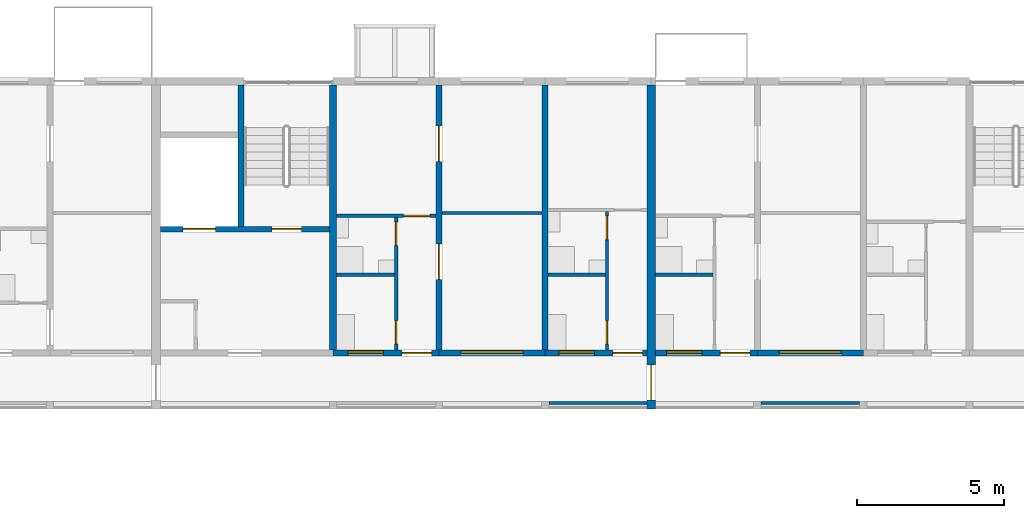
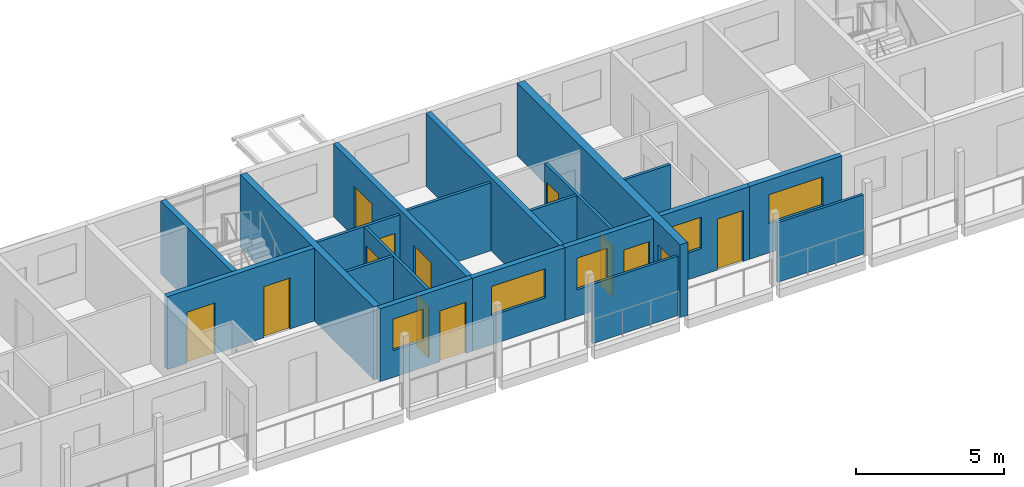
# One storey, part 37 of 98: 20 walls, 13 doors, 5 windows, 18 openings.
"""IFC4 building model written with IfcOpenShell, lengths in metres."""

from ifc_helpers import new_model, si_unit, direction, frame, frame_2d, origin, place, context, subcontext, project, spatial, rectangle, extrude, material, layer, layer_set, type_object, element, fill, save


model = new_model("IFC4")

# Units and contexts
model_context = context("Model", 3, precision=1e-05, world=origin(), true_north=direction((0.0, 1.0)))
body_context = subcontext(model_context, "Body", "Model", "MODEL_VIEW")
ifc_project = project(units=[si_unit("LENGTHUNIT", "METRE"), si_unit("AREAUNIT", "SQUARE_METRE"), si_unit("VOLUMEUNIT", "CUBIC_METRE"), si_unit("PLANEANGLEUNIT", "RADIAN"), si_unit("MASSUNIT", "GRAM", prefix="KILO")], contexts=[model_context])

# Site, building, storey
site_placement = place(None, origin())
site = spatial("IfcSite", under=ifc_project, at=site_placement, CompositionType="ELEMENT")
building_placement = place(site_placement, origin())
building = spatial("IfcBuilding", under=site, at=building_placement, Name="Ridgestep Commons", CompositionType="ELEMENT")
storey_placement = place(building_placement, frame((0.0, 0.0, 12.0)))
storey = spatial("IfcBuildingStorey", under=building, at=storey_placement, Name="L04", CompositionType="ELEMENT", Elevation=12.0)

# Wall
ifc_material_1 = material(Name="Concrete C30/37", Category="concrete")
ifc_layer_1 = layer(ifc_material_1, 0.25)
ifc_layer_set_1 = layer_set([ifc_layer_1], Name="Core cross wall 250")
wall_type_1 = type_object("IfcWallType", Name="Core cross wall 250", PredefinedType="SHEAR", material=ifc_layer_set_1)
wall_1_placement = place(storey_placement, frame((51.60009765625, 68.0, 0.0), z_axis=(0.0, 0.0, 1.0), x_axis=(0.0, 1.0, 0.0)))
element("IfcWall", 1, at=wall_1_placement, inside=storey, type_object=wall_type_1, Name="Cross wall B-04-0516", PredefinedType="SHEAR", context=body_context, shape_type="SweptSolid", body=[
    extrude(rectangle(XDim=9.0, YDim=0.25, at=frame_2d((4.5, 0.0))), origin(), (0.0, 0.0, 1.0), 3.0),
])

# Wall, openings, doors
ifc_material_2 = material(Name="Concrete C30/37", Category="concrete")
ifc_layer_2 = layer(ifc_material_2, 0.199951171875)
ifc_layer_set_2 = layer_set([ifc_layer_2], Name="Core wall 200")
wall_type_2 = type_object("IfcWallType", Name="Core wall 200", PredefinedType="SHEAR", material=ifc_layer_set_2)
wall_2_placement = place(storey_placement, frame((45.75, 72.10009765625, 0.0), z_axis=(0.0, 0.0, 1.0), x_axis=(1.0, 0.0, 0.0)))
wall_2 = element("IfcWall", 2, at=wall_2_placement, inside=storey, type_object=wall_type_2, Name="Core lobby wall B3C L04", PredefinedType="SHEAR", context=body_context, shape_type="SweptSolid", body=[
    extrude(rectangle(XDim=5.72509765625, YDim=0.199951171875, at=frame_2d((2.862548828125, 0.0))), origin(), (0.0, 0.0, 1.0), 3.0),
])
opening_1_placement = place(wall_2_placement, frame((3.77490234375, 0.0, 0.0)))
opening_1 = element("IfcOpeningElement", 3, at=opening_1_placement, cuts=wall_2, Name="Opening B3C/04/2", PredefinedType="OPENING", context=body_context, shape_type="SweptSolid", body=[
    extrude(rectangle(XDim=1.0, YDim=2.10009765625, at=frame_2d((0.5, 1.050048828125))), frame((0.0, 0.10986328125, 0.0), z_axis=(0.0, -1.0, 0.0), x_axis=(1.0, 0.0, 0.0)), (0.0, 0.0, 1.0), 0.219970703125),
])
opening_2_placement = place(wall_2_placement, frame((0.762451171875, 0.0, 0.0)))
opening_2 = element("IfcOpeningElement", 4, at=opening_2_placement, cuts=wall_2, Name="Opening B3C/04/3", PredefinedType="OPENING", context=body_context, shape_type="SweptSolid", body=[
    extrude(rectangle(XDim=1.10009765625, YDim=2.10009765625, at=frame_2d((0.550048828125, 1.050048828125))), frame((0.0, 0.10986328125, 0.0), z_axis=(0.0, -1.0, 0.0), x_axis=(1.0, 0.0, 0.0)), (0.0, 0.0, 1.0), 0.219970703125),
])
ifc_material_3 = material(Name="Stainless steel", Category="steel")
door_type_1 = type_object("IfcDoorType", Name="Lift landing door 1100 x 2100 FD60", OperationType="DOUBLE_DOOR_SLIDING", PredefinedType="DOOR", material=ifc_material_3)
door_1_placement = place(opening_2_placement, origin())
door_1 = element("IfcDoor", 5, at=door_1_placement, inside=storey, type_object=door_type_1, Name="Landing door LD B3C L04", OperationType="DOUBLE_DOOR_SLIDING", OverallHeight=2.10009765625, OverallWidth=1.10009765625, PredefinedType="DOOR", context=body_context, shape_type="SweptSolid", body=[
    extrude(rectangle(XDim=1.10009765625, YDim=2.10009765625, at=frame_2d((0.550048828125, 1.050048828125))), frame((0.0, 0.02490234375, 0.0), z_axis=(0.0, -1.0, 0.0), x_axis=(1.0, 0.0, 0.0)), (0.0, 0.0, 1.0), 0.050048828125),
])
fill(opening_2, door_1)
ifc_material_4 = material(Name="Steel fire door", Category="steel")
door_type_2 = type_object("IfcDoorType", Name="Stair door 1000 x 2100 FD60", OperationType="NOTDEFINED", PredefinedType="DOOR", material=ifc_material_4)
door_2_placement = place(opening_1_placement, origin())
door_2 = element("IfcDoor", 6, at=door_2_placement, inside=storey, type_object=door_type_2, Name="Stair door B3C/04/2", OperationType="SINGLE_SWING_RIGHT", OverallHeight=2.10009765625, OverallWidth=1.0, PredefinedType="DOOR", context=body_context, shape_type="SweptSolid", body=[
    extrude(rectangle(XDim=1.0, YDim=2.10009765625, at=frame_2d((0.5, 1.050048828125))), frame((0.0, 0.02490234375, 0.0), z_axis=(0.0, -1.0, 0.0), x_axis=(1.0, 0.0, 0.0)), (0.0, 0.0, 1.0), 0.050048828125),
])
fill(opening_1, door_2)

# Wall
wall_3_placement = place(storey_placement, frame((48.47509765625, 72.199951171875, 0.0), z_axis=(0.0, 0.0, 1.0), x_axis=(0.0, 1.0, 0.0)))
element("IfcWall", 7, at=wall_3_placement, inside=storey, type_object=wall_type_2, Name="Core stair wall B3C L04", PredefinedType="SHEAR", context=body_context, shape_type="SweptSolid", body=[
    extrude(rectangle(XDim=4.800048828125, YDim=0.199951171875, at=frame_2d((2.39990234375, 0.0))), origin(), (0.0, 0.0, 1.0), 3.0),
])

# Wall, openings, doors
ifc_material_5 = material(Name="Precast concrete C40/50", Category="concrete")
ifc_layer_3 = layer(ifc_material_5, 0.199951171875)
ifc_layer_set_3 = layer_set([ifc_layer_3], Name="Cross wall 200")
wall_type_3 = type_object("IfcWallType", Name="Cross wall 200", PredefinedType="SHEAR", material=ifc_layer_set_3)
wall_4_placement = place(storey_placement, frame((55.199951171875, 68.0, 0.0), z_axis=(0.0, 0.0, 1.0), x_axis=(0.0, 1.0, 0.0)))
wall_4 = element("IfcWall", 8, at=wall_4_placement, inside=storey, type_object=wall_type_3, Name="Cross wall B-04-0552", PredefinedType="SHEAR", context=body_context, shape_type="SweptSolid", body=[
    extrude(rectangle(XDim=9.0, YDim=0.199951171875, at=frame_2d((4.5, 0.0))), origin(), (0.0, 0.0, 1.0), 3.0),
])
opening_3_placement = place(wall_4_placement, frame((2.39990234375, 0.0, 0.0)))
opening_3 = element("IfcOpeningElement", 9, at=opening_3_placement, cuts=wall_4, Name="Opening B3-04b/5", PredefinedType="OPENING", context=body_context, shape_type="SweptSolid", body=[
    extrude(rectangle(XDim=1.199951171875, YDim=2.10009765625, at=frame_2d((0.60009765625, 1.050048828125))), frame((0.0, 0.10986328125, 0.0), z_axis=(0.0, -1.0, 0.0), x_axis=(1.0, 0.0, 0.0)), (0.0, 0.0, 1.0), 0.219970703125),
])
opening_4_placement = place(wall_4_placement, frame((6.39990234375, 0.0, 0.0)))
opening_4 = element("IfcOpeningElement", 10, at=opening_4_placement, cuts=wall_4, Name="Opening B3-04b/6", PredefinedType="OPENING", context=body_context, shape_type="SweptSolid", body=[
    extrude(rectangle(XDim=1.199951171875, YDim=2.10009765625, at=frame_2d((0.60009765625, 1.050048828125))), frame((0.0, 0.10986328125, 0.0), z_axis=(0.0, -1.0, 0.0), x_axis=(1.0, 0.0, 0.0)), (0.0, 0.0, 1.0), 0.219970703125),
])
ifc_material_6 = material(Name="Timber door leaf", Category="wood")
door_type_3 = type_object("IfcDoorType", Name="Double door 1200 x 2100", OperationType="DOUBLE_DOOR_SINGLE_SWING", PredefinedType="DOOR", material=ifc_material_6)
door_3_placement = place(opening_3_placement, origin())
door_3 = element("IfcDoor", 11, at=door_3_placement, inside=storey, type_object=door_type_3, Name="Double door B3-04b/5", OperationType="DOUBLE_DOOR_SINGLE_SWING", OverallHeight=2.10009765625, OverallWidth=1.199951171875, PredefinedType="DOOR", context=body_context, shape_type="SweptSolid", body=[
    extrude(rectangle(XDim=1.199951171875, YDim=2.10009765625, at=frame_2d((0.60009765625, 1.050048828125))), frame((0.0, 0.02490234375, 0.0), z_axis=(0.0, -1.0, 0.0), x_axis=(1.0, 0.0, 0.0)), (0.0, 0.0, 1.0), 0.050048828125),
])
fill(opening_3, door_3)
door_4_placement = place(opening_4_placement, origin())
door_4 = element("IfcDoor", 12, at=door_4_placement, inside=storey, type_object=door_type_3, Name="Double door B3-04b/6", OperationType="DOUBLE_DOOR_SINGLE_SWING", OverallHeight=2.10009765625, OverallWidth=1.199951171875, PredefinedType="DOOR", context=body_context, shape_type="SweptSolid", body=[
    extrude(rectangle(XDim=1.199951171875, YDim=2.10009765625, at=frame_2d((0.60009765625, 1.050048828125))), frame((0.0, 0.02490234375, 0.0), z_axis=(0.0, -1.0, 0.0), x_axis=(1.0, 0.0, 0.0)), (0.0, 0.0, 1.0), 0.050048828125),
])
fill(opening_4, door_4)

# Wall
wall_5_placement = place(storey_placement, frame((58.800048828125, 68.0, 0.0), z_axis=(0.0, 0.0, 1.0), x_axis=(0.0, 1.0, 0.0)))
element("IfcWall", 13, at=wall_5_placement, inside=storey, type_object=wall_type_3, Name="Cross wall B-04-0588", PredefinedType="SHEAR", context=body_context, shape_type="SweptSolid", body=[
    extrude(rectangle(XDim=9.0, YDim=0.199951171875, at=frame_2d((4.5, 0.0))), origin(), (0.0, 0.0, 1.0), 3.0),
])

# Wall, opening, door
ifc_material_7 = material(Name="Precast concrete C40/50", Category="concrete")
ifc_layer_4 = layer(ifc_material_7, 0.300048828125)
ifc_layer_set_4 = layer_set([ifc_layer_4], Name="Division wall 300")
wall_type_4 = type_object("IfcWallType", Name="Division wall 300", PredefinedType="SHEAR", material=ifc_layer_set_4)
wall_6_placement = place(storey_placement, frame((62.39990234375, 66.0, 0.0), z_axis=(0.0, 0.0, 1.0), x_axis=(0.0, 1.0, 0.0)))
wall_6 = element("IfcWall", 14, at=wall_6_placement, inside=storey, type_object=wall_type_4, Name="Cross wall B-04-0624", PredefinedType="SHEAR", context=body_context, shape_type="SweptSolid", body=[
    extrude(rectangle(XDim=11.0, YDim=0.300048828125, at=frame_2d((5.5, 0.0))), origin(), (0.0, 0.0, 1.0), 3.0),
])
opening_5_placement = place(wall_6_placement, frame((0.300048828125, 0.0, 0.0)))
opening_5 = element("IfcOpeningElement", 15, at=opening_5_placement, cuts=wall_6, Name="Opening B/04/G0624", PredefinedType="OPENING", context=body_context, shape_type="SweptSolid", body=[
    extrude(rectangle(XDim=1.199951171875, YDim=2.10009765625, at=frame_2d((0.60009765625, 1.050048828125))), frame((0.0, 0.159912109375, 0.0), z_axis=(0.0, -1.0, 0.0), x_axis=(1.0, 0.0, 0.0)), (0.0, 0.0, 1.0), 0.320068359375),
])
ifc_material_8 = material(Name="Steel fire door", Category="steel")
door_type_4 = type_object("IfcDoorType", Name="Division fire door 1200 x 2100 EI 240", OperationType="DOUBLE_DOOR_SINGLE_SWING", PredefinedType="DOOR", material=ifc_material_8)
door_5_placement = place(opening_5_placement, origin())
door_5 = element("IfcDoor", 16, at=door_5_placement, inside=storey, type_object=door_type_4, Name="Division fire door B/04/G0624", OperationType="DOUBLE_DOOR_SINGLE_SWING", OverallHeight=2.10009765625, OverallWidth=1.199951171875, PredefinedType="DOOR", context=body_context, shape_type="SweptSolid", body=[
    extrude(rectangle(XDim=1.199951171875, YDim=2.10009765625, at=frame_2d((0.60009765625, 1.050048828125))), frame((0.0, 0.02490234375, 0.0), z_axis=(0.0, -1.0, 0.0), x_axis=(1.0, 0.0, 0.0)), (0.0, 0.0, 1.0), 0.050048828125),
])
fill(opening_5, door_5)

# Wall
ifc_material_9 = material(Name="Common brick 110 mm", Category="masonry")
ifc_layer_5 = layer(ifc_material_9, 0.110107421875)
ifc_layer_set_5 = layer_set([ifc_layer_5], Name="Partition 110")
wall_type_5 = type_object("IfcWallType", Name="Partition 110", PredefinedType="PARTITIONING", material=ifc_layer_set_5)
wall_7_placement = place(storey_placement, frame((58.89990234375, 70.554931640625, 0.0), z_axis=(0.0, 0.0, 1.0), x_axis=(1.0, 0.0, 0.0)))
element("IfcWall", 17, at=wall_7_placement, inside=storey, type_object=wall_type_5, Name="Partition B3-04a", PredefinedType="PARTITIONING", context=body_context, shape_type="SweptSolid", body=[
    extrude(rectangle(XDim=1.940185546875, YDim=0.110107421875, at=frame_2d((0.97021484375, 0.0))), origin(), (0.0, 0.0, 1.0), 2.800048828125),
])

# Wall, openings, doors
wall_8_placement = place(storey_placement, frame((60.89501953125, 68.0, 0.0), z_axis=(0.0, 0.0, 1.0), x_axis=(0.0, 1.0, 0.0)))
wall_8 = element("IfcWall", 18, at=wall_8_placement, inside=storey, type_object=wall_type_5, Name="Partition B3-04a", PredefinedType="PARTITIONING", context=body_context, shape_type="SweptSolid", body=[
    extrude(rectangle(XDim=4.699951171875, YDim=0.110107421875, at=frame_2d((2.35009765625, 0.0))), origin(), (0.0, 0.0, 1.0), 2.800048828125),
])
opening_6_placement = place(wall_8_placement, frame((0.199951171875, 0.0, 0.0)))
opening_6 = element("IfcOpeningElement", 19, at=opening_6_placement, cuts=wall_8, Name="Opening B3-04a/2", PredefinedType="OPENING", context=body_context, shape_type="SweptSolid", body=[
    extrude(rectangle(XDim=0.800048828125, YDim=2.10009765625, at=frame_2d((0.39990234375, 1.050048828125))), frame((0.0, 0.06494140625, 0.0), z_axis=(0.0, -1.0, 0.0), x_axis=(1.0, 0.0, 0.0)), (0.0, 0.0, 1.0), 0.130126953125),
])
opening_7_placement = place(wall_8_placement, frame((3.75, 0.0, 0.0)))
opening_7 = element("IfcOpeningElement", 20, at=opening_7_placement, cuts=wall_8, Name="Opening B3-04a/3", PredefinedType="OPENING", context=body_context, shape_type="SweptSolid", body=[
    extrude(rectangle(XDim=0.800048828125, YDim=2.10009765625, at=frame_2d((0.39990234375, 1.050048828125))), frame((0.0, 0.06494140625, 0.0), z_axis=(0.0, -1.0, 0.0), x_axis=(1.0, 0.0, 0.0)), (0.0, 0.0, 1.0), 0.130126953125),
])
ifc_material_10 = material(Name="Timber door leaf", Category="wood")
door_type_5 = type_object("IfcDoorType", Name="Internal door 800 x 2100", OperationType="NOTDEFINED", PredefinedType="DOOR", material=ifc_material_10)
door_6_placement = place(opening_6_placement, origin())
door_6 = element("IfcDoor", 21, at=door_6_placement, inside=storey, type_object=door_type_5, Name="Internal door B3-04a/2", OperationType="SINGLE_SWING_LEFT", OverallHeight=2.10009765625, OverallWidth=0.800048828125, PredefinedType="DOOR", context=body_context, shape_type="SweptSolid", body=[
    extrude(rectangle(XDim=0.800048828125, YDim=2.10009765625, at=frame_2d((0.39990234375, 1.050048828125))), frame((0.0, 0.02490234375, 0.0), z_axis=(0.0, -1.0, 0.0), x_axis=(1.0, 0.0, 0.0)), (0.0, 0.0, 1.0), 0.050048828125),
])
fill(opening_6, door_6)
door_7_placement = place(opening_7_placement, origin())
door_7 = element("IfcDoor", 22, at=door_7_placement, inside=storey, type_object=door_type_5, Name="Internal door B3-04a/3", OperationType="SINGLE_SWING_RIGHT", OverallHeight=2.10009765625, OverallWidth=0.800048828125, PredefinedType="DOOR", context=body_context, shape_type="SweptSolid", body=[
    extrude(rectangle(XDim=0.800048828125, YDim=2.10009765625, at=frame_2d((0.39990234375, 1.050048828125))), frame((0.0, 0.02490234375, 0.0), z_axis=(0.0, -1.0, 0.0), x_axis=(1.0, 0.0, 0.0)), (0.0, 0.0, 1.0), 0.050048828125),
])
fill(opening_7, door_7)

# Wall
wall_9_placement = place(storey_placement, frame((51.72509765625, 70.554931640625, 0.0), z_axis=(0.0, 0.0, 1.0), x_axis=(1.0, 0.0, 0.0)))
element("IfcWall", 23, at=wall_9_placement, inside=storey, type_object=wall_type_5, Name="Partition B3-04b", PredefinedType="PARTITIONING", context=body_context, shape_type="SweptSolid", body=[
    extrude(rectangle(XDim=1.96484375, YDim=0.110107421875, at=frame_2d((0.982421875, 0.0))), origin(), (0.0, 0.0, 1.0), 2.800048828125),
])

# Wall, openings, doors
wall_10_placement = place(storey_placement, frame((53.7451171875, 68.0, 0.0), z_axis=(0.0, 0.0, 1.0), x_axis=(0.0, 1.0, 0.0)))
wall_10 = element("IfcWall", 24, at=wall_10_placement, inside=storey, type_object=wall_type_5, Name="Partition B3-04b", PredefinedType="PARTITIONING", context=body_context, shape_type="SweptSolid", body=[
    extrude(rectangle(XDim=4.5, YDim=0.110107421875, at=frame_2d((2.25, 0.0))), origin(), (0.0, 0.0, 1.0), 2.800048828125),
])
opening_8_placement = place(wall_10_placement, frame((0.199951171875, 0.0, 0.0)))
opening_8 = element("IfcOpeningElement", 25, at=opening_8_placement, cuts=wall_10, Name="Opening B3-04b/2", PredefinedType="OPENING", context=body_context, shape_type="SweptSolid", body=[
    extrude(rectangle(XDim=0.800048828125, YDim=2.10009765625, at=frame_2d((0.39990234375, 1.050048828125))), frame((0.0, 0.06494140625, 0.0), z_axis=(0.0, -1.0, 0.0), x_axis=(1.0, 0.0, 0.0)), (0.0, 0.0, 1.0), 0.130126953125),
])
opening_9_placement = place(wall_10_placement, frame((3.550048828125, 0.0, 0.0)))
opening_9 = element("IfcOpeningElement", 26, at=opening_9_placement, cuts=wall_10, Name="Opening B3-04b/3", PredefinedType="OPENING", context=body_context, shape_type="SweptSolid", body=[
    extrude(rectangle(XDim=0.800048828125, YDim=2.10009765625, at=frame_2d((0.39990234375, 1.050048828125))), frame((0.0, 0.06494140625, 0.0), z_axis=(0.0, -1.0, 0.0), x_axis=(1.0, 0.0, 0.0)), (0.0, 0.0, 1.0), 0.130126953125),
])
door_8_placement = place(opening_8_placement, origin())
door_8 = element("IfcDoor", 27, at=door_8_placement, inside=storey, type_object=door_type_5, Name="Internal door B3-04b/2", OperationType="SINGLE_SWING_LEFT", OverallHeight=2.10009765625, OverallWidth=0.800048828125, PredefinedType="DOOR", context=body_context, shape_type="SweptSolid", body=[
    extrude(rectangle(XDim=0.800048828125, YDim=2.10009765625, at=frame_2d((0.39990234375, 1.050048828125))), frame((0.0, 0.02490234375, 0.0), z_axis=(0.0, -1.0, 0.0), x_axis=(1.0, 0.0, 0.0)), (0.0, 0.0, 1.0), 0.050048828125),
])
fill(opening_8, door_8)
door_9_placement = place(opening_9_placement, origin())
door_9 = element("IfcDoor", 28, at=door_9_placement, inside=storey, type_object=door_type_5, Name="Internal door B3-04b/3", OperationType="SINGLE_SWING_RIGHT", OverallHeight=2.10009765625, OverallWidth=0.800048828125, PredefinedType="DOOR", context=body_context, shape_type="SweptSolid", body=[
    extrude(rectangle(XDim=0.800048828125, YDim=2.10009765625, at=frame_2d((0.39990234375, 1.050048828125))), frame((0.0, 0.02490234375, 0.0), z_axis=(0.0, -1.0, 0.0), x_axis=(1.0, 0.0, 0.0)), (0.0, 0.0, 1.0), 0.050048828125),
])
fill(opening_9, door_9)

# Wall, opening, door
wall_11_placement = place(storey_placement, frame((51.72509765625, 72.554931640625, 0.0), z_axis=(0.0, 0.0, 1.0), x_axis=(1.0, 0.0, 0.0)))
wall_11 = element("IfcWall", 29, at=wall_11_placement, inside=storey, type_object=wall_type_5, Name="Partition B3-04b", PredefinedType="PARTITIONING", context=body_context, shape_type="SweptSolid", body=[
    extrude(rectangle(XDim=3.375, YDim=0.110107421875, at=frame_2d((1.6875, 0.0))), origin(), (0.0, 0.0, 1.0), 2.800048828125),
])
opening_10_placement = place(wall_11_placement, frame((2.27490234375, 0.0, 0.0)))
opening_10 = element("IfcOpeningElement", 30, at=opening_10_placement, cuts=wall_11, Name="Opening B3-04b/4", PredefinedType="OPENING", context=body_context, shape_type="SweptSolid", body=[
    extrude(rectangle(XDim=0.89990234375, YDim=2.10009765625, at=frame_2d((0.449951171875, 1.050048828125))), frame((0.0, 0.06494140625, 0.0), z_axis=(0.0, -1.0, 0.0), x_axis=(1.0, 0.0, 0.0)), (0.0, 0.0, 1.0), 0.130126953125),
])
ifc_material_11 = material(Name="Timber door leaf", Category="wood")
door_type_6 = type_object("IfcDoorType", Name="Internal door 900 x 2100", OperationType="NOTDEFINED", PredefinedType="DOOR", material=ifc_material_11)
door_10_placement = place(opening_10_placement, origin())
door_10 = element("IfcDoor", 31, at=door_10_placement, inside=storey, type_object=door_type_6, Name="Internal door B3-04b/4", OperationType="SINGLE_SWING_LEFT", OverallHeight=2.10009765625, OverallWidth=0.89990234375, PredefinedType="DOOR", context=body_context, shape_type="SweptSolid", body=[
    extrude(rectangle(XDim=0.89990234375, YDim=2.10009765625, at=frame_2d((0.449951171875, 1.050048828125))), frame((0.0, 0.02490234375, 0.0), z_axis=(0.0, -1.0, 0.0), x_axis=(1.0, 0.0, 0.0)), (0.0, 0.0, 1.0), 0.050048828125),
])
fill(opening_10, door_10)

# Walls
wall_12_placement = place(storey_placement, frame((55.300048828125, 72.655029296875, 0.0), z_axis=(0.0, 0.0, 1.0), x_axis=(1.0, 0.0, 0.0)))
element("IfcWall", 32, at=wall_12_placement, inside=storey, type_object=wall_type_5, Name="Partition B3-04b", PredefinedType="PARTITIONING", context=body_context, shape_type="SweptSolid", body=[
    extrude(rectangle(XDim=3.39990234375, YDim=0.110107421875, at=frame_2d((1.699951171875, 0.0))), origin(), (0.0, 0.0, 1.0), 2.800048828125),
])
wall_13_placement = place(storey_placement, frame((62.550048828125, 70.554931640625, 0.0), z_axis=(0.0, 0.0, 1.0), x_axis=(1.0, 0.0, 0.0)))
element("IfcWall", 33, at=wall_13_placement, inside=storey, type_object=wall_type_5, Name="Partition B4-04a", PredefinedType="PARTITIONING", context=body_context, shape_type="SweptSolid", body=[
    extrude(rectangle(XDim=1.93994140625, YDim=0.110107421875, at=frame_2d((0.969970703125, 0.0))), origin(), (0.0, 0.0, 1.0), 2.800048828125),
])
ifc_material_12 = material(Name="Precast concrete C30/37", Category="concrete")
ifc_layer_6 = layer(ifc_material_12, 0.10009765625)
ifc_layer_set_6 = layer_set([ifc_layer_6], Name="Perforated gallery screen 3325 x 2450 x 100")
wall_type_6 = type_object("IfcWallType", Name="Perforated gallery screen 3325 x 2450 x 100", PredefinedType="SOLIDWALL", material=ifc_layer_set_6)
wall_14_placement = place(storey_placement, frame((58.925048828125, 66.199951171875, 0.0), z_axis=(0.0, 0.0, 1.0), x_axis=(1.0, 0.0, 0.0)))
element("IfcWall", 34, at=wall_14_placement, inside=storey, type_object=wall_type_6, Name="Gallery screen B3T1 04", PredefinedType="SOLIDWALL", context=body_context, shape_type="SweptSolid", body=[
    extrude(rectangle(XDim=3.324951171875, YDim=0.10009765625, at=frame_2d((1.66259765625, 0.0))), origin(), (0.0, 0.0, 1.0), 2.449951171875),
])
ifc_material_13 = material(Name="Precast concrete C30/37", Category="concrete")
ifc_layer_7 = layer(ifc_material_13, 0.10009765625)
ifc_layer_set_7 = layer_set([ifc_layer_7], Name="Perforated gallery screen 3350 x 2450 x 100")
wall_type_7 = type_object("IfcWallType", Name="Perforated gallery screen 3350 x 2450 x 100", PredefinedType="SOLIDWALL", material=ifc_layer_set_7)
wall_15_placement = place(storey_placement, frame((66.125, 66.199951171875, 0.0), z_axis=(0.0, 0.0, 1.0), x_axis=(1.0, 0.0, 0.0)))
element("IfcWall", 35, at=wall_15_placement, inside=storey, type_object=wall_type_7, Name="Gallery screen B4T2 04", PredefinedType="SOLIDWALL", context=body_context, shape_type="SweptSolid", body=[
    extrude(rectangle(XDim=3.35009765625, YDim=0.10009765625, at=frame_2d((1.675048828125, 0.0))), origin(), (0.0, 0.0, 1.0), 2.449951171875),
])

# Wall, openings, door, window
ifc_material_14 = material(Name="Precast concrete C40/50", Category="concrete")
ifc_layer_8 = layer(ifc_material_14, 0.199951171875)
ifc_layer_set_8 = layer_set([ifc_layer_8], Name="South facade panel 200")
wall_type_8 = type_object("IfcWallType", Name="South facade panel 200", PredefinedType="SOLIDWALL", material=ifc_layer_set_8)
wall_16_placement = place(storey_placement, frame((51.60009765625, 67.89990234375, 0.0), z_axis=(0.0, 0.0, 1.0), x_axis=(1.0, 0.0, 0.0)))
wall_16 = element("IfcWall", 36, at=wall_16_placement, inside=storey, type_object=wall_type_8, Name="South panel B3T3 L04", PredefinedType="SOLIDWALL", context=body_context, shape_type="SweptSolid", body=[
    extrude(rectangle(XDim=3.599853515625, YDim=0.199951171875, at=frame_2d((1.7998046875, 0.0))), origin(), (0.0, 0.0, 1.0), 3.0),
])
opening_11_placement = place(wall_16_placement, frame((0.507568359375, 0.0, 1.10009765625)))
opening_11 = element("IfcOpeningElement", 37, at=opening_11_placement, cuts=wall_16, Name="Opening W08", PredefinedType="OPENING", context=body_context, shape_type="SweptSolid", body=[
    extrude(rectangle(XDim=1.199951171875, YDim=1.300048828125, at=frame_2d((0.60009765625, 0.64990234375))), frame((0.0, 0.10986328125, 0.0), z_axis=(0.0, -1.0, 0.0), x_axis=(1.0, 0.0, 0.0)), (0.0, 0.0, 1.0), 0.219970703125),
])
opening_12_placement = place(wall_16_placement, frame((2.35009765625, 0.0, 0.0)))
opening_12 = element("IfcOpeningElement", 38, at=opening_12_placement, cuts=wall_16, Name="Opening B3-04b/1", PredefinedType="OPENING", context=body_context, shape_type="SweptSolid", body=[
    extrude(rectangle(XDim=1.0, YDim=2.10009765625, at=frame_2d((0.5, 1.050048828125))), frame((0.0, 0.10986328125, 0.0), z_axis=(0.0, -1.0, 0.0), x_axis=(1.0, 0.0, 0.0)), (0.0, 0.0, 1.0), 0.219970703125),
])
ifc_material_15 = material(Name="Timber door leaf", Category="wood")
door_type_7 = type_object("IfcDoorType", Name="Flat entrance door 1000 x 2100 FD30S", OperationType="NOTDEFINED", PredefinedType="DOOR", material=ifc_material_15)
door_11_placement = place(opening_12_placement, origin())
door_11 = element("IfcDoor", 39, at=door_11_placement, inside=storey, type_object=door_type_7, Name="Flat entrance door B3-04b/1", OperationType="SINGLE_SWING_RIGHT", OverallHeight=2.10009765625, OverallWidth=1.0, PredefinedType="DOOR", context=body_context, shape_type="SweptSolid", body=[
    extrude(rectangle(XDim=1.0, YDim=2.10009765625, at=frame_2d((0.5, 1.050048828125))), frame((0.0, 0.02490234375, 0.0), z_axis=(0.0, -1.0, 0.0), x_axis=(1.0, 0.0, 0.0)), (0.0, 0.0, 1.0), 0.050048828125),
])
fill(opening_12, door_11)
ifc_material_16 = material(Name="Aluminium 6063-T6 and glass", Category="aluminium")
window_type_1 = type_object("IfcWindowType", Name="Flat window 1200 x 1300", PartitioningType="SINGLE_PANEL", PredefinedType="WINDOW", material=ifc_material_16)
window_1_placement = place(opening_11_placement, origin())
window_1 = element("IfcWindow", 40, at=window_1_placement, inside=storey, type_object=window_type_1, Name="Window B3-04b 3", OverallHeight=1.300048828125, OverallWidth=1.199951171875, PartitioningType="SINGLE_PANEL", PredefinedType="WINDOW", context=body_context, shape_type="SweptSolid", body=[
    extrude(rectangle(XDim=1.199951171875, YDim=1.300048828125, at=frame_2d((0.60009765625, 0.64990234375))), frame((0.0, 0.06005859375, 0.0), z_axis=(0.0, -1.0, 0.0), x_axis=(1.0, 0.0, 0.0)), (0.0, 0.0, 1.0), 0.06005859375),
])
fill(opening_11, window_1)

# Wall, opening, window
wall_17_placement = place(storey_placement, frame((55.199951171875, 67.89990234375, 0.0), z_axis=(0.0, 0.0, 1.0), x_axis=(1.0, 0.0, 0.0)))
wall_17 = element("IfcWall", 41, at=wall_17_placement, inside=storey, type_object=wall_type_8, Name="South panel B3T2 L04", PredefinedType="SOLIDWALL", context=body_context, shape_type="SweptSolid", body=[
    extrude(rectangle(XDim=3.60009765625, YDim=0.199951171875, at=frame_2d((1.800048828125, 0.0))), origin(), (0.0, 0.0, 1.0), 3.0),
])
opening_13_placement = place(wall_17_placement, frame((0.75, 0.0, 1.199951171875)))
opening_13 = element("IfcOpeningElement", 42, at=opening_13_placement, cuts=wall_17, Name="Opening W22", PredefinedType="OPENING", context=body_context, shape_type="SweptSolid", body=[
    extrude(rectangle(XDim=2.10009765625, YDim=1.199951171875, at=frame_2d((1.050048828125, 0.60009765625))), frame((0.0, 0.10986328125, 0.0), z_axis=(0.0, -1.0, 0.0), x_axis=(1.0, 0.0, 0.0)), (0.0, 0.0, 1.0), 0.219970703125),
])
ifc_material_17 = material(Name="Aluminium 6063-T6 and glass", Category="aluminium")
window_type_2 = type_object("IfcWindowType", Name="Flat window 2100 x 1200", PartitioningType="DOUBLE_PANEL_VERTICAL", PredefinedType="WINDOW", material=ifc_material_17)
window_2_placement = place(opening_13_placement, origin())
window_2 = element("IfcWindow", 43, at=window_2_placement, inside=storey, type_object=window_type_2, Name="Window B3-04b 1", OverallHeight=1.199951171875, OverallWidth=2.10009765625, PartitioningType="SINGLE_PANEL", PredefinedType="WINDOW", context=body_context, shape_type="SweptSolid", body=[
    extrude(rectangle(XDim=2.10009765625, YDim=1.199951171875, at=frame_2d((1.050048828125, 0.60009765625))), frame((0.0, 0.06005859375, 0.0), z_axis=(0.0, -1.0, 0.0), x_axis=(1.0, 0.0, 0.0)), (0.0, 0.0, 1.0), 0.06005859375),
])
fill(opening_13, window_2)

# Wall, openings, door, window
wall_18_placement = place(storey_placement, frame((58.800048828125, 67.89990234375, 0.0), z_axis=(0.0, 0.0, 1.0), x_axis=(1.0, 0.0, 0.0)))
wall_18 = element("IfcWall", 44, at=wall_18_placement, inside=storey, type_object=wall_type_8, Name="South panel B3T1 L04", PredefinedType="SOLIDWALL", context=body_context, shape_type="SweptSolid", body=[
    extrude(rectangle(XDim=3.449951171875, YDim=0.199951171875, at=frame_2d((1.72509765625, 0.0))), origin(), (0.0, 0.0, 1.0), 3.0),
])
opening_14_placement = place(wall_18_placement, frame((0.469970703125, 0.0, 1.10009765625)))
opening_14 = element("IfcOpeningElement", 45, at=opening_14_placement, cuts=wall_18, Name="Opening W08", PredefinedType="OPENING", context=body_context, shape_type="SweptSolid", body=[
    extrude(rectangle(XDim=1.199951171875, YDim=1.300048828125, at=frame_2d((0.60009765625, 0.64990234375))), frame((0.0, 0.10986328125, 0.0), z_axis=(0.0, -1.0, 0.0), x_axis=(1.0, 0.0, 0.0)), (0.0, 0.0, 1.0), 0.219970703125),
])
opening_15_placement = place(wall_18_placement, frame((2.300048828125, 0.0, 0.0)))
opening_15 = element("IfcOpeningElement", 46, at=opening_15_placement, cuts=wall_18, Name="Opening B3-04a/1", PredefinedType="OPENING", context=body_context, shape_type="SweptSolid", body=[
    extrude(rectangle(XDim=1.0, YDim=2.10009765625, at=frame_2d((0.5, 1.050048828125))), frame((0.0, 0.10986328125, 0.0), z_axis=(0.0, -1.0, 0.0), x_axis=(1.0, 0.0, 0.0)), (0.0, 0.0, 1.0), 0.219970703125),
])
door_12_placement = place(opening_15_placement, origin())
door_12 = element("IfcDoor", 47, at=door_12_placement, inside=storey, type_object=door_type_7, Name="Flat entrance door B3-04a/1", OperationType="SINGLE_SWING_RIGHT", OverallHeight=2.10009765625, OverallWidth=1.0, PredefinedType="DOOR", context=body_context, shape_type="SweptSolid", body=[
    extrude(rectangle(XDim=1.0, YDim=2.10009765625, at=frame_2d((0.5, 1.050048828125))), frame((0.0, 0.02490234375, 0.0), z_axis=(0.0, -1.0, 0.0), x_axis=(1.0, 0.0, 0.0)), (0.0, 0.0, 1.0), 0.050048828125),
])
fill(opening_15, door_12)
window_3_placement = place(opening_14_placement, origin())
window_3 = element("IfcWindow", 48, at=window_3_placement, inside=storey, type_object=window_type_1, Name="Window B3-04a 1", OverallHeight=1.300048828125, OverallWidth=1.199951171875, PartitioningType="SINGLE_PANEL", PredefinedType="WINDOW", context=body_context, shape_type="SweptSolid", body=[
    extrude(rectangle(XDim=1.199951171875, YDim=1.300048828125, at=frame_2d((0.60009765625, 0.64990234375))), frame((0.0, 0.06005859375, 0.0), z_axis=(0.0, -1.0, 0.0), x_axis=(1.0, 0.0, 0.0)), (0.0, 0.0, 1.0), 0.06005859375),
])
fill(opening_14, window_3)

wall_19_placement = place(storey_placement, frame((62.550048828125, 67.89990234375, 0.0), z_axis=(0.0, 0.0, 1.0), x_axis=(1.0, 0.0, 0.0)))
wall_19 = element("IfcWall", 49, at=wall_19_placement, inside=storey, type_object=wall_type_8, Name="South panel B4T1 L04", PredefinedType="SOLIDWALL", context=body_context, shape_type="SweptSolid", body=[
    extrude(rectangle(XDim=3.449951171875, YDim=0.199951171875, at=frame_2d((1.72509765625, 0.0))), origin(), (0.0, 0.0, 1.0), 3.0),
])
opening_16_placement = place(wall_19_placement, frame((0.3701171875, 0.0, 1.10009765625)))
opening_16 = element("IfcOpeningElement", 50, at=opening_16_placement, cuts=wall_19, Name="Opening W08", PredefinedType="OPENING", context=body_context, shape_type="SweptSolid", body=[
    extrude(rectangle(XDim=1.199951171875, YDim=1.300048828125, at=frame_2d((0.60009765625, 0.64990234375))), frame((0.0, 0.10986328125, 0.0), z_axis=(0.0, -1.0, 0.0), x_axis=(1.0, 0.0, 0.0)), (0.0, 0.0, 1.0), 0.219970703125),
])
opening_17_placement = place(wall_19_placement, frame((2.199951171875, 0.0, 0.0)))
opening_17 = element("IfcOpeningElement", 51, at=opening_17_placement, cuts=wall_19, Name="Opening B4-04a/1", PredefinedType="OPENING", context=body_context, shape_type="SweptSolid", body=[
    extrude(rectangle(XDim=1.0, YDim=2.10009765625, at=frame_2d((0.5, 1.050048828125))), frame((0.0, 0.10986328125, 0.0), z_axis=(0.0, -1.0, 0.0), x_axis=(1.0, 0.0, 0.0)), (0.0, 0.0, 1.0), 0.219970703125),
])
door_13_placement = place(opening_17_placement, origin())
door_13 = element("IfcDoor", 52, at=door_13_placement, inside=storey, type_object=door_type_7, Name="Flat entrance door B4-04a/1", OperationType="SINGLE_SWING_RIGHT", OverallHeight=2.10009765625, OverallWidth=1.0, PredefinedType="DOOR", context=body_context, shape_type="SweptSolid", body=[
    extrude(rectangle(XDim=1.0, YDim=2.10009765625, at=frame_2d((0.5, 1.050048828125))), frame((0.0, 0.02490234375, 0.0), z_axis=(0.0, -1.0, 0.0), x_axis=(1.0, 0.0, 0.0)), (0.0, 0.0, 1.0), 0.050048828125),
])
fill(opening_17, door_13)
window_4_placement = place(opening_16_placement, origin())
window_4 = element("IfcWindow", 53, at=window_4_placement, inside=storey, type_object=window_type_1, Name="Window B4-04a 3", OverallHeight=1.300048828125, OverallWidth=1.199951171875, PartitioningType="SINGLE_PANEL", PredefinedType="WINDOW", context=body_context, shape_type="SweptSolid", body=[
    extrude(rectangle(XDim=1.199951171875, YDim=1.300048828125, at=frame_2d((0.60009765625, 0.64990234375))), frame((0.0, 0.06005859375, 0.0), z_axis=(0.0, -1.0, 0.0), x_axis=(1.0, 0.0, 0.0)), (0.0, 0.0, 1.0), 0.06005859375),
])
fill(opening_16, window_4)

# Wall, opening, window
wall_20_placement = place(storey_placement, frame((66.0, 67.89990234375, 0.0), z_axis=(0.0, 0.0, 1.0), x_axis=(1.0, 0.0, 0.0)))
wall_20 = element("IfcWall", 54, at=wall_20_placement, inside=storey, type_object=wall_type_8, Name="South panel B4T2 L04", PredefinedType="SOLIDWALL", context=body_context, shape_type="SweptSolid", body=[
    extrude(rectangle(XDim=3.60009765625, YDim=0.199951171875, at=frame_2d((1.800048828125, 0.0))), origin(), (0.0, 0.0, 1.0), 3.0),
])
opening_18_placement = place(wall_20_placement, frame((0.75, 0.0, 1.199951171875)))
opening_18 = element("IfcOpeningElement", 55, at=opening_18_placement, cuts=wall_20, Name="Opening W22", PredefinedType="OPENING", context=body_context, shape_type="SweptSolid", body=[
    extrude(rectangle(XDim=2.10009765625, YDim=1.199951171875, at=frame_2d((1.050048828125, 0.60009765625))), frame((0.0, 0.10986328125, 0.0), z_axis=(0.0, -1.0, 0.0), x_axis=(1.0, 0.0, 0.0)), (0.0, 0.0, 1.0), 0.219970703125),
])
window_5_placement = place(opening_18_placement, origin())
window_5 = element("IfcWindow", 56, at=window_5_placement, inside=storey, type_object=window_type_2, Name="Window B4-04a 1", OverallHeight=1.199951171875, OverallWidth=2.10009765625, PartitioningType="SINGLE_PANEL", PredefinedType="WINDOW", context=body_context, shape_type="SweptSolid", body=[
    extrude(rectangle(XDim=2.10009765625, YDim=1.199951171875, at=frame_2d((1.050048828125, 0.60009765625))), frame((0.0, 0.06005859375, 0.0), z_axis=(0.0, -1.0, 0.0), x_axis=(1.0, 0.0, 0.0)), (0.0, 0.0, 1.0), 0.06005859375),
])
fill(opening_18, window_5)

save(model, "model.ifc")
